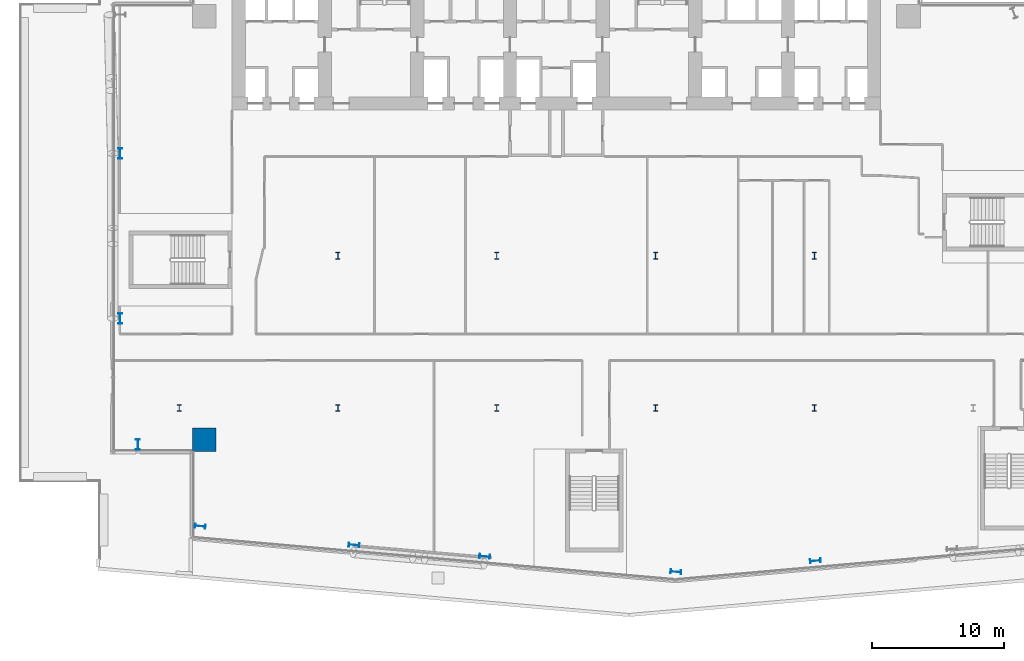
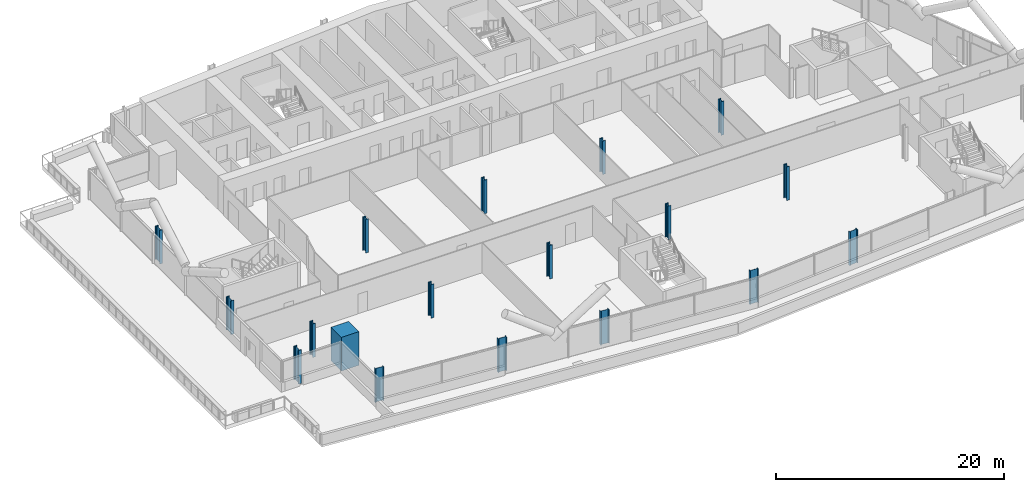
# One storey, part 1 of 26: 18 columns.
"""IFC4 building model written with IfcOpenShell, lengths in metres."""

from ifc_helpers import new_model, si_unit, direction, frame, origin, origin_2d, place, context, subcontext, project, spatial, rectangle, i_section, extrude, material, material_profile, profile_set, type_object, element, save


model = new_model("IFC4")

# Units and contexts
model_context = context("Model", 3, precision=1e-05, world=origin(), true_north=direction((0.0, 1.0)))
body_context = subcontext(model_context, "Body", "Model", "MODEL_VIEW")
ifc_project = project(units=[si_unit("LENGTHUNIT", "METRE"), si_unit("AREAUNIT", "SQUARE_METRE"), si_unit("VOLUMEUNIT", "CUBIC_METRE"), si_unit("PLANEANGLEUNIT", "RADIAN"), si_unit("MASSUNIT", "GRAM", prefix="KILO")], contexts=[model_context])

# Site, building, storey
site_placement = place(None, origin())
site = spatial("IfcSite", under=ifc_project, at=site_placement, CompositionType="ELEMENT")
building_placement = place(site_placement, origin())
building = spatial("IfcBuilding", under=site, at=building_placement, Name="Wharfspan Tower", CompositionType="ELEMENT")
storey_placement = place(building_placement, frame((0.0, 0.0, 96.699951)))
storey = spatial("IfcBuildingStorey", under=building, at=storey_placement, Name="L21", CompositionType="ELEMENT", Elevation=96.699951)

# Columns
ifc_material_1 = material(Name="Steel S355J2", Category="steel")
ifc_material_profile_1 = material_profile(ifc_material_1, i_section(OverallWidth=0.305908, OverallDepth=0.523926, WebThickness=0.020996, FlangeThickness=0.040039, FilletRadius=0.0271, at=origin_2d()))
ifc_profile_set_1 = profile_set([ifc_material_profile_1], Name="Steel S355J2")
column_type_1 = type_object("IfcColumnType", Name="Column HEM 500", PredefinedType="COLUMN", material=ifc_profile_set_1)
for number, where, z_axis, x_axis, name in (
    (1, (12.0, 11.5, 0.0), (0.0, 0.0, 1.0), (1.0, 0.0, 0.0), "Interior column I.1.1 L21"),
    (2, (24.0, 11.5, 0.0), (0.0, 0.0, 1.0), (1.0, 0.0, 0.0), "Interior column I.1.2 L21"),
    (3, (36.0, 11.5, 0.0), (0.0, 0.0, 1.0), (1.0, 0.0, 0.0), "Interior column I.1.3 L21"),
    (4, (48.0, 11.5, 0.0), (0.0, 0.0, 1.0), (1.0, 0.0, 0.0), "Interior column I.1.4 L21"),
    (5, (60.0, 11.5, 0.0), (0.0, 0.0, 1.0), (1.0, 0.0, 0.0), "Interior column I.1.5 L21"),
    (6, (24.0, 23.0, 0.0), (0.0, 0.0, 1.0), (1.0, 0.0, 0.0), "Interior column I.2.1 L21"),
    (7, (36.0, 23.0, 0.0), (0.0, 0.0, 1.0), (1.0, 0.0, 0.0), "Interior column I.2.2 L21"),
    (8, (48.0, 23.0, 0.0), (0.0, 0.0, 1.0), (1.0, 0.0, 0.0), "Interior column I.2.3 L21"),
    (9, (60.0, 23.0, 0.0), (0.0, 0.0, 1.0), (1.0, 0.0, 0.0), "Interior column I.2.4 L21"),
):
    element("IfcColumn", number, at=place(storey_placement, frame(where, z_axis=z_axis, x_axis=x_axis)), inside=storey, type_object=column_type_1, Name=name, PredefinedType="COLUMN", context=body_context, shape_type="SweptSolid", body=[
        extrude(i_section(OverallWidth=0.305908, OverallDepth=0.523926, WebThickness=0.020996, FlangeThickness=0.040039, FilletRadius=0.0271, at=origin_2d()), origin(), (0.0, 0.0, 1.0), 3.600098),
    ])
ifc_material_profile_2 = material_profile(ifc_material_1, i_section(OverallWidth=0.302979, OverallDepth=0.813965, WebThickness=0.020996, FlangeThickness=0.040039, FilletRadius=0.030029, at=origin_2d()))
ifc_profile_set_2 = profile_set([ifc_material_profile_2], Name="Steel S355J2")
column_type_2 = type_object("IfcColumnType", Name="Column HEM 800", PredefinedType="COLUMN", material=ifc_profile_set_2)
for number, where, z_axis, x_axis, name in (
    (10, (13.590576, 2.569336, 0.0), (0.0, 0.0, 1.0), (-0.087156, -0.996198, 0.0), "Perimeter column PS1.1 L21"),
    (11, (25.213623, 1.148682, 0.0), (0.0, 0.0, 1.0), (-0.087156, -0.996198, 0.0), "Perimeter column PS1.2 L21"),
    (12, (35.089111, 0.284668, 0.0), (0.0, 0.0, 1.0), (-0.087156, -0.996198, 0.0), "Perimeter column PS1.3 L21"),
    (13, (49.53125, -0.881592, 0.0), (0.0, 0.0, 1.0), (-0.087156, -0.996198, 0.0), "Perimeter column PS1.4 L21"),
    (14, (60.077881, -0.050781, 0.0), (0.0, 0.0, 1.0), (0.087156, -0.996198, 0.0), "Perimeter column PS2.1 L21"),
    (15, (7.540039, 30.733398, 0.0), (0.0, 0.0, 1.0), (-1.0, 0.0, 0.0), "Perimeter column PW.1 L21"),
    (16, (7.540039, 18.266602, 0.0), (0.0, 0.0, 1.0), (-1.0, 0.0, 0.0), "Perimeter column PW.2 L21"),
    (17, (8.884521, 8.742676, 0.0), (0.0, 0.0, 1.0), (-1.0, 0.0, 0.0), "Perimeter column PW.3 L21"),
):
    element("IfcColumn", number, at=place(storey_placement, frame(where, z_axis=z_axis, x_axis=x_axis)), inside=storey, type_object=column_type_2, Name=name, PredefinedType="COLUMN", context=body_context, shape_type="SweptSolid", body=[
        extrude(i_section(OverallWidth=0.302979, OverallDepth=0.813965, WebThickness=0.020996, FlangeThickness=0.040039, FilletRadius=0.030029, at=origin_2d()), origin(), (0.0, 0.0, 1.0), 3.600098),
    ])
ifc_material_2 = material(Name="Concrete C70/85", Category="concrete")
ifc_material_profile_3 = material_profile(ifc_material_2, rectangle(XDim=1.800049, YDim=1.800049, at=origin_2d()))
ifc_profile_set_3 = profile_set([ifc_material_profile_3], Name="Concrete C70/85")
column_type_3 = type_object("IfcColumnType", Name="Mega column 1800 C70/85", PredefinedType="COLUMN", material=ifc_profile_set_3)
column_placement = place(storey_placement, frame((13.899902, 9.100098, 0.0), z_axis=(0.0, 0.0, 1.0), x_axis=(1.0, 0.0, 0.0)))
element("IfcColumn", 18, at=column_placement, inside=storey, type_object=column_type_3, Name="Mega column MC1 L21", PredefinedType="COLUMN", context=body_context, shape_type="SweptSolid", body=[
    extrude(rectangle(XDim=1.800049, YDim=1.800049, at=origin_2d()), origin(), (0.0, 0.0, 1.0), 3.600098),
])

save(model, "model.ifc")
